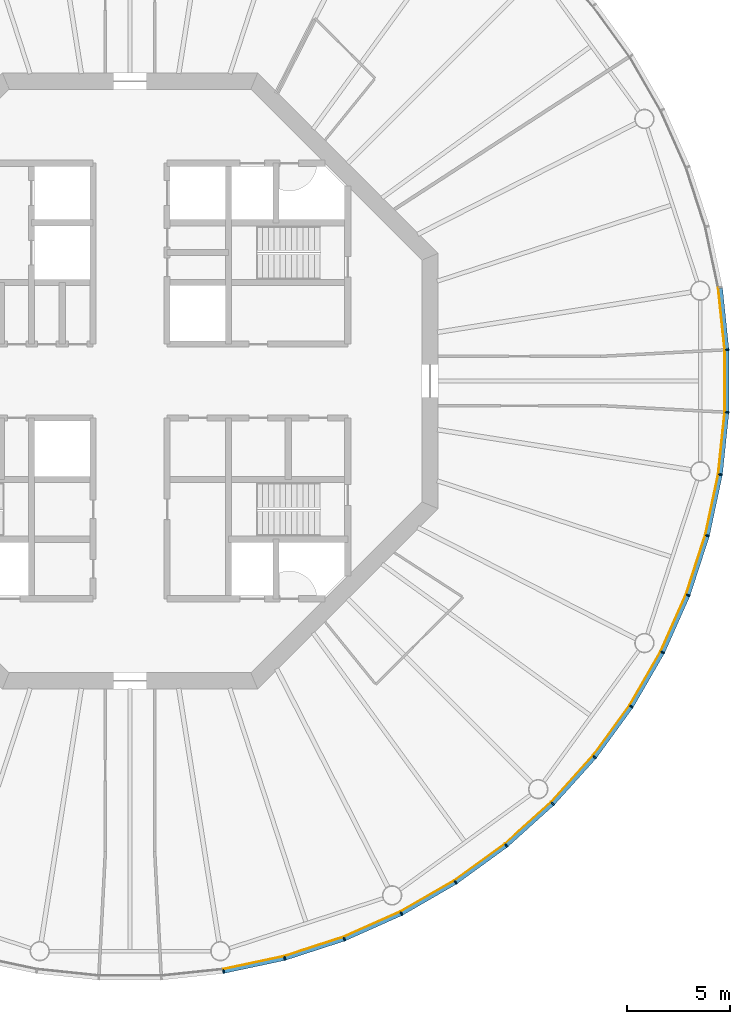
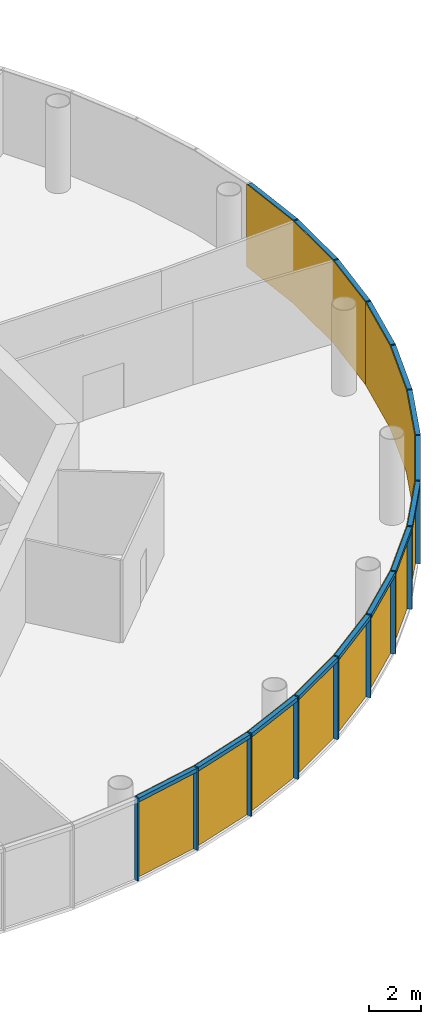
# One storey, part 9 of 13: 30 members, 5 curtain walls.
"""IFC4 building model written with IfcOpenShell, lengths in metres."""

from ifc_helpers import new_model, si_unit, direction, frame, origin, origin_2d, place, context, subcontext, project, spatial, polyline, rectangle, outline, extrude, material, layer, layer_set, material_profile, profile_set, type_object, element, aggregate, save


model = new_model("IFC4")

# Units and contexts
model_context = context("Model", 3, precision=1e-05, world=origin(), true_north=direction((0.0, 1.0)))
body_context = subcontext(model_context, "Body", "Model", "MODEL_VIEW")
ifc_project = project(units=[si_unit("LENGTHUNIT", "METRE"), si_unit("AREAUNIT", "SQUARE_METRE"), si_unit("VOLUMEUNIT", "CUBIC_METRE"), si_unit("PLANEANGLEUNIT", "RADIAN"), si_unit("MASSUNIT", "GRAM", prefix="KILO")], contexts=[model_context])

# Member
ifc_material_1 = material(Name="Anodised aluminium", Category="aluminium")
ifc_material_profile_1 = material_profile(ifc_material_1, rectangle(XDim=0.06494140625, YDim=0.195068359375, at=origin_2d()), Name="Mullion 65 x 195 mm anodised aluminium")
ifc_profile_set_1 = profile_set([ifc_material_profile_1], Name="Anodised aluminium")
member_type_1 = type_object("IfcMemberType", Name="Mullion 65 x 195 mm anodised aluminium", PredefinedType="MULLION", material=ifc_profile_set_1)
site_placement = place(None, origin())
building_placement = place(site_placement, origin())
storey_placement = place(building_placement, frame((0.0, 0.0, 298.0)))
member_1_placement = place(storey_placement, frame((94.5517578125, 51.2607421875, 0.0), z_axis=(0.0, 0.0, 1.0), x_axis=(0.987688340595, 0.15643446504, 0.0)))
member_1 = element("IfcMember", 1, at=member_1_placement, type_object=member_type_1, Name="MULLION L68-45", PredefinedType="MULLION", context=body_context, shape_type="SweptSolid", body=[
    extrude(rectangle(XDim=0.06494140625, YDim=0.195068359375, at=origin_2d()), origin(), (0.0, 0.0, 1.0), 3.85009765625),
])

member_2_placement = place(storey_placement, frame((97.531005859375, 51.89404296875, 0.0), z_axis=(0.0, 0.0, 1.0), x_axis=(0.965925826289, 0.258819045103, 0.0)))
member_2 = element("IfcMember", 2, at=member_2_placement, type_object=member_type_1, Name="MULLION L68-46", PredefinedType="MULLION", context=body_context, shape_type="SweptSolid", body=[
    extrude(rectangle(XDim=0.06494140625, YDim=0.195068359375, at=origin_2d()), origin(), (0.0, 0.0, 1.0), 3.85009765625),
])

member_3_placement = place(storey_placement, frame((100.427490234375, 52.835205078125, 0.0), z_axis=(0.0, 0.0, 1.0), x_axis=(0.933580426497, 0.358367949545, 0.0)))
member_3 = element("IfcMember", 3, at=member_3_placement, type_object=member_type_1, Name="MULLION L68-47", PredefinedType="MULLION", context=body_context, shape_type="SweptSolid", body=[
    extrude(rectangle(XDim=0.06494140625, YDim=0.195068359375, at=origin_2d()), origin(), (0.0, 0.0, 1.0), 3.85009765625),
])

member_4_placement = place(storey_placement, frame((103.2099609375, 54.073974609375, 0.0), z_axis=(0.0, 0.0, 1.0), x_axis=(0.891006524188, 0.45399049974, 0.0)))
member_4 = element("IfcMember", 4, at=member_4_placement, type_object=member_type_1, Name="MULLION L68-48", PredefinedType="MULLION", context=body_context, shape_type="SweptSolid", body=[
    extrude(rectangle(XDim=0.06494140625, YDim=0.195068359375, at=origin_2d()), origin(), (0.0, 0.0, 1.0), 3.85009765625),
])

member_5_placement = place(storey_placement, frame((105.84765625, 55.5966796875, 0.0), z_axis=(0.0, 0.0, 1.0), x_axis=(0.838670567945, 0.544639035015, 0.0)))
member_5 = element("IfcMember", 5, at=member_5_placement, type_object=member_type_1, Name="MULLION L68-49", PredefinedType="MULLION", context=body_context, shape_type="SweptSolid", body=[
    extrude(rectangle(XDim=0.06494140625, YDim=0.195068359375, at=origin_2d()), origin(), (0.0, 0.0, 1.0), 3.85009765625),
])

member_6_placement = place(storey_placement, frame((108.311767578125, 57.386962890625, 0.0), z_axis=(0.0, 0.0, 1.0), x_axis=(0.777145961457, 0.62932039105, 0.0)))
member_6 = element("IfcMember", 6, at=member_6_placement, type_object=member_type_1, Name="MULLION L68-50", PredefinedType="MULLION", context=body_context, shape_type="SweptSolid", body=[
    extrude(rectangle(XDim=0.06494140625, YDim=0.195068359375, at=origin_2d()), origin(), (0.0, 0.0, 1.0), 3.85009765625),
])

member_7_placement = place(storey_placement, frame((110.574951171875, 59.425048828125, 0.0), z_axis=(0.0, 0.0, 1.0), x_axis=(0.707106781187, 0.707106781187, 0.0)))
member_7 = element("IfcMember", 7, at=member_7_placement, type_object=member_type_1, Name="MULLION L68-51", PredefinedType="MULLION", context=body_context, shape_type="SweptSolid", body=[
    extrude(rectangle(XDim=0.06494140625, YDim=0.195068359375, at=origin_2d()), origin(), (0.0, 0.0, 1.0), 3.85009765625),
])

member_8_placement = place(storey_placement, frame((112.613037109375, 61.688232421875, 0.0), z_axis=(0.0, 0.0, 1.0), x_axis=(0.62932039105, 0.777145961457, 0.0)))
member_8 = element("IfcMember", 8, at=member_8_placement, type_object=member_type_1, Name="MULLION L68-52", PredefinedType="MULLION", context=body_context, shape_type="SweptSolid", body=[
    extrude(rectangle(XDim=0.06494140625, YDim=0.195068359375, at=origin_2d()), origin(), (0.0, 0.0, 1.0), 3.85009765625),
])

member_9_placement = place(storey_placement, frame((114.4033203125, 64.15234375, 0.0), z_axis=(0.0, 0.0, 1.0), x_axis=(0.544639035015, 0.838670567945, 0.0)))
member_9 = element("IfcMember", 9, at=member_9_placement, type_object=member_type_1, Name="MULLION L68-53", PredefinedType="MULLION", context=body_context, shape_type="SweptSolid", body=[
    extrude(rectangle(XDim=0.06494140625, YDim=0.195068359375, at=origin_2d()), origin(), (0.0, 0.0, 1.0), 3.85009765625),
])

member_10_placement = place(storey_placement, frame((115.926025390625, 66.7900390625, 0.0), z_axis=(0.0, 0.0, 1.0), x_axis=(0.45399049974, 0.891006524188, 0.0)))
member_10 = element("IfcMember", 10, at=member_10_placement, type_object=member_type_1, Name="MULLION L68-54", PredefinedType="MULLION", context=body_context, shape_type="SweptSolid", body=[
    extrude(rectangle(XDim=0.06494140625, YDim=0.195068359375, at=origin_2d()), origin(), (0.0, 0.0, 1.0), 3.85009765625),
])

member_11_placement = place(storey_placement, frame((117.164794921875, 69.572509765625, 0.0), z_axis=(0.0, 0.0, 1.0), x_axis=(0.358367949545, 0.933580426497, 0.0)))
member_11 = element("IfcMember", 11, at=member_11_placement, type_object=member_type_1, Name="MULLION L68-55", PredefinedType="MULLION", context=body_context, shape_type="SweptSolid", body=[
    extrude(rectangle(XDim=0.06494140625, YDim=0.195068359375, at=origin_2d()), origin(), (0.0, 0.0, 1.0), 3.85009765625),
])

member_12_placement = place(storey_placement, frame((118.10595703125, 72.468994140625, 0.0), z_axis=(0.0, 0.0, 1.0), x_axis=(0.258819045103, 0.965925826289, 0.0)))
member_12 = element("IfcMember", 12, at=member_12_placement, type_object=member_type_1, Name="MULLION L68-56", PredefinedType="MULLION", context=body_context, shape_type="SweptSolid", body=[
    extrude(rectangle(XDim=0.06494140625, YDim=0.195068359375, at=origin_2d()), origin(), (0.0, 0.0, 1.0), 3.85009765625),
])

member_13_placement = place(storey_placement, frame((118.7392578125, 75.4482421875, 0.0), z_axis=(0.0, 0.0, 1.0), x_axis=(0.15643446504, 0.987688340595, 0.0)))
member_13 = element("IfcMember", 13, at=member_13_placement, type_object=member_type_1, Name="MULLION L68-57", PredefinedType="MULLION", context=body_context, shape_type="SweptSolid", body=[
    extrude(rectangle(XDim=0.06494140625, YDim=0.195068359375, at=origin_2d()), origin(), (0.0, 0.0, 1.0), 3.85009765625),
])

member_14_placement = place(storey_placement, frame((119.0576171875, 78.47705078125, 0.0), z_axis=(0.0, 0.0, 1.0), x_axis=(0.052335956243, 0.998629534755, 0.0)))
member_14 = element("IfcMember", 14, at=member_14_placement, type_object=member_type_1, Name="MULLION L68-58", PredefinedType="MULLION", context=body_context, shape_type="SweptSolid", body=[
    extrude(rectangle(XDim=0.06494140625, YDim=0.195068359375, at=origin_2d()), origin(), (0.0, 0.0, 1.0), 3.85009765625),
])

member_15_placement = place(storey_placement, frame((119.0576171875, 81.52294921875, 0.0), z_axis=(0.0, 0.0, 1.0), x_axis=(-0.052335956243, 0.998629534755, 0.0)))
member_15 = element("IfcMember", 15, at=member_15_placement, type_object=member_type_1, Name="MULLION L68-59", PredefinedType="MULLION", context=body_context, shape_type="SweptSolid", body=[
    extrude(rectangle(XDim=0.06494140625, YDim=0.195068359375, at=origin_2d()), origin(), (0.0, 0.0, 1.0), 3.85009765625),
])

ifc_material_2 = material(Name="Anodised aluminium", Category="aluminium")
ifc_material_profile_2 = material_profile(ifc_material_2, rectangle(XDim=0.195068359375, YDim=0.179931640625, at=origin_2d()), Name="Transom 180 x 195 mm anodised aluminium")
ifc_profile_set_2 = profile_set([ifc_material_profile_2], Name="Anodised aluminium")
member_type_2 = type_object("IfcMemberType", Name="Transom 180 x 195 mm anodised aluminium", PredefinedType="USERDEFINED", material=ifc_profile_set_2)
member_16_placement = place(storey_placement, frame((94.588623046875, 51.268310546875, 3.760009765625), z_axis=(0.978141510112, 0.207940342877, 0.0), x_axis=(-0.207940342877, 0.978141510112, 0.0)))
member_16 = element("IfcMember", 16, at=member_16_placement, type_object=member_type_2, Name="TRANSOM L68-45", ObjectType="TRANSOM", PredefinedType="USERDEFINED", context=body_context, shape_type="SweptSolid", body=[
    extrude(rectangle(XDim=0.195068359375, YDim=0.179931640625, at=origin_2d()), origin(), (0.0, 0.0, 1.0), 2.970458984375),
])

member_17_placement = place(storey_placement, frame((97.56689453125, 51.905517578125, 3.760009765625), z_axis=(0.951047960094, 0.309043326415, 0.0), x_axis=(-0.309043326415, 0.951047960094, 0.0)))
member_17 = element("IfcMember", 17, at=member_17_placement, type_object=member_type_2, Name="TRANSOM L68-46", ObjectType="TRANSOM", PredefinedType="USERDEFINED", context=body_context, shape_type="SweptSolid", body=[
    extrude(rectangle(XDim=0.195068359375, YDim=0.179931640625, at=origin_2d()), origin(), (0.0, 0.0, 1.0), 2.970458984375),
])

member_18_placement = place(storey_placement, frame((100.4619140625, 52.850341796875, 3.760009765625), z_axis=(0.913550406593, 0.406725527369, 0.0), x_axis=(-0.406725527369, 0.913550406593, 0.0)))
member_18 = element("IfcMember", 18, at=member_18_placement, type_object=member_type_2, Name="TRANSOM L68-47", ObjectType="TRANSOM", PredefinedType="USERDEFINED", context=body_context, shape_type="SweptSolid", body=[
    extrude(rectangle(XDim=0.195068359375, YDim=0.179931640625, at=origin_2d()), origin(), (0.0, 0.0, 1.0), 2.970703125),
])

member_19_placement = place(storey_placement, frame((103.24267578125, 54.092529296875, 3.760009765625), z_axis=(0.866009025146, 0.500028367561, 0.0), x_axis=(-0.500028367561, 0.866009025146, 0.0)))
member_19 = element("IfcMember", 19, at=member_19_placement, type_object=member_type_2, Name="TRANSOM L68-48", ObjectType="TRANSOM", PredefinedType="USERDEFINED", context=body_context, shape_type="SweptSolid", body=[
    extrude(rectangle(XDim=0.195068359375, YDim=0.179931640625, at=origin_2d()), origin(), (0.0, 0.0, 1.0), 2.970458984375),
])

member_20_placement = place(storey_placement, frame((105.878173828125, 55.618896484375, 3.760009765625), z_axis=(0.809030990733, 0.587765987476, 0.0), x_axis=(-0.587765987476, 0.809030990733, 0.0)))
member_20 = element("IfcMember", 20, at=member_20_placement, type_object=member_type_2, Name="TRANSOM L68-49", ObjectType="TRANSOM", PredefinedType="USERDEFINED", context=body_context, shape_type="SweptSolid", body=[
    extrude(rectangle(XDim=0.195068359375, YDim=0.179931640625, at=origin_2d()), origin(), (0.0, 0.0, 1.0), 2.97021484375),
])

member_21_placement = place(storey_placement, frame((108.339599609375, 57.412109375, 3.760009765625), z_axis=(0.743163354343, 0.669110027395, 0.0), x_axis=(-0.669110027395, 0.743163354343, 0.0)))
member_21 = element("IfcMember", 21, at=member_21_placement, type_object=member_type_2, Name="TRANSOM L68-50", ObjectType="TRANSOM", PredefinedType="USERDEFINED", context=body_context, shape_type="SweptSolid", body=[
    extrude(rectangle(XDim=0.195068359375, YDim=0.179931640625, at=origin_2d()), origin(), (0.0, 0.0, 1.0), 2.970458984375),
])

member_22_placement = place(storey_placement, frame((110.600341796875, 59.452880859375, 3.760009765625), z_axis=(0.669110027395, 0.743163354343, 0.0), x_axis=(-0.743163354343, 0.669110027395, 0.0)))
member_22 = element("IfcMember", 22, at=member_22_placement, type_object=member_type_2, Name="TRANSOM L68-51", ObjectType="TRANSOM", PredefinedType="USERDEFINED", context=body_context, shape_type="SweptSolid", body=[
    extrude(rectangle(XDim=0.195068359375, YDim=0.179931640625, at=origin_2d()), origin(), (0.0, 0.0, 1.0), 2.970458984375),
])

member_23_placement = place(storey_placement, frame((112.63525390625, 61.71875, 3.760009765625), z_axis=(0.587765987476, 0.809030990733, 0.0), x_axis=(-0.809030990733, 0.587765987476, 0.0)))
member_23 = element("IfcMember", 23, at=member_23_placement, type_object=member_type_2, Name="TRANSOM L68-52", ObjectType="TRANSOM", PredefinedType="USERDEFINED", context=body_context, shape_type="SweptSolid", body=[
    extrude(rectangle(XDim=0.195068359375, YDim=0.179931640625, at=origin_2d()), origin(), (0.0, 0.0, 1.0), 2.97021484375),
])

member_24_placement = place(storey_placement, frame((114.422119140625, 64.184814453125, 3.760009765625), z_axis=(0.500028367561, 0.866009025146, 0.0), x_axis=(-0.866009025146, 0.500028367561, 0.0)))
member_24 = element("IfcMember", 24, at=member_24_placement, type_object=member_type_2, Name="TRANSOM L68-53", ObjectType="TRANSOM", PredefinedType="USERDEFINED", context=body_context, shape_type="SweptSolid", body=[
    extrude(rectangle(XDim=0.195068359375, YDim=0.179931640625, at=origin_2d()), origin(), (0.0, 0.0, 1.0), 2.970458984375),
])

member_25_placement = place(storey_placement, frame((115.94140625, 66.82421875, 3.760009765625), z_axis=(0.406725527369, 0.913550406593, 0.0), x_axis=(-0.913550406593, 0.406725527369, 0.0)))
member_25 = element("IfcMember", 25, at=member_25_placement, type_object=member_type_2, Name="TRANSOM L68-54", ObjectType="TRANSOM", PredefinedType="USERDEFINED", context=body_context, shape_type="SweptSolid", body=[
    extrude(rectangle(XDim=0.195068359375, YDim=0.179931640625, at=origin_2d()), origin(), (0.0, 0.0, 1.0), 2.970703125),
])

member_26_placement = place(storey_placement, frame((117.176513671875, 69.608154296875, 3.760009765625), z_axis=(0.309043326415, 0.951047960094, 0.0), x_axis=(-0.951047960094, 0.309043326415, 0.0)))
member_26 = element("IfcMember", 26, at=member_26_placement, type_object=member_type_2, Name="TRANSOM L68-55", ObjectType="TRANSOM", PredefinedType="USERDEFINED", context=body_context, shape_type="SweptSolid", body=[
    extrude(rectangle(XDim=0.195068359375, YDim=0.179931640625, at=origin_2d()), origin(), (0.0, 0.0, 1.0), 2.970458984375),
])

member_27_placement = place(storey_placement, frame((118.114013671875, 72.505859375, 3.760009765625), z_axis=(0.207940342877, 0.978141510112, 0.0), x_axis=(-0.978141510112, 0.207940342877, 0.0)))
member_27 = element("IfcMember", 27, at=member_27_placement, type_object=member_type_2, Name="TRANSOM L68-56", ObjectType="TRANSOM", PredefinedType="USERDEFINED", context=body_context, shape_type="SweptSolid", body=[
    extrude(rectangle(XDim=0.195068359375, YDim=0.179931640625, at=origin_2d()), origin(), (0.0, 0.0, 1.0), 2.970458984375),
])

member_28_placement = place(storey_placement, frame((118.743408203125, 75.485595703125, 3.760009765625), z_axis=(0.104466577987, 0.994528397827, 0.0), x_axis=(-0.994528397827, 0.104466577987, 0.0)))
member_28 = element("IfcMember", 28, at=member_28_placement, type_object=member_type_2, Name="TRANSOM L68-57", ObjectType="TRANSOM", PredefinedType="USERDEFINED", context=body_context, shape_type="SweptSolid", body=[
    extrude(rectangle(XDim=0.195068359375, YDim=0.179931640625, at=origin_2d()), origin(), (0.0, 0.0, 1.0), 2.970458984375),
])

member_29_placement = place(storey_placement, frame((119.057861328125, 78.5146484375, 3.760009765625), z_axis=(0.0, 1.0, 0.0), x_axis=(-1.0, 0.0, 0.0)))
member_29 = element("IfcMember", 29, at=member_29_placement, type_object=member_type_2, Name="TRANSOM L68-58", ObjectType="TRANSOM", PredefinedType="USERDEFINED", context=body_context, shape_type="SweptSolid", body=[
    extrude(rectangle(XDim=0.195068359375, YDim=0.179931640625, at=origin_2d()), origin(), (0.0, 0.0, 1.0), 2.970703125),
])

member_30_placement = place(storey_placement, frame((119.0537109375, 81.560302734375, 3.760009765625), z_axis=(-0.104466577987, 0.994528397827, 0.0), x_axis=(-0.994528397827, -0.104466577987, 0.0)))
member_30 = element("IfcMember", 30, at=member_30_placement, type_object=member_type_2, Name="TRANSOM L68-59", ObjectType="TRANSOM", PredefinedType="USERDEFINED", context=body_context, shape_type="SweptSolid", body=[
    extrude(rectangle(XDim=0.195068359375, YDim=0.179931640625, at=origin_2d()), origin(), (0.0, 0.0, 1.0), 2.970458984375),
])

# Site, building, storey
site = spatial("IfcSite", under=ifc_project, at=site_placement, CompositionType="ELEMENT")
building = spatial("IfcBuilding", under=site, at=building_placement, Name="Entoto Ring Tower", CompositionType="ELEMENT")
storey = spatial("IfcBuildingStorey", under=building, at=storey_placement, Name="L68", CompositionType="ELEMENT", Elevation=298.0)

# Curtain wall
ifc_material_3 = material(Name="Clear low-iron glass", Category="glass")
ifc_layer = layer(ifc_material_3, 0.033935546875)
ifc_layer_set = layer_set([ifc_layer], Name="Clear low-iron glass")
curtain_wall_type = type_object("IfcCurtainWallType", Name="Curtain wall system CW5 glazing 34 mm", PredefinedType="NOTDEFINED", material=ifc_layer_set)
curtain_wall_1_placement = place(storey_placement, origin())
curtain_wall_1 = element("IfcCurtainWall", 31, at=curtain_wall_1_placement, inside=storey, type_object=curtain_wall_type, Name="CW5 L68-16", PredefinedType="NOTDEFINED", context=body_context, shape_type="SweptSolid", body=[
    extrude(outline(polyline([(94.53662109375, 51.35693359375), (97.505859375, 51.988037109375), (100.392578125, 52.92626953125), (103.165771484375, 54.160888671875), (103.150146484375, 54.191162109375), (100.38037109375, 52.9580078125), (97.496826171875, 52.02099609375), (94.53125, 51.390625), (94.53662109375, 51.35693359375)])), origin(), (0.0, 0.0, 1.0), 3.85009765625),
])

aggregate(curtain_wall_1, [member_1, member_2, member_3, member_16, member_17, member_18])

curtain_wall_2_placement = place(storey_placement, origin())
curtain_wall_2 = element("IfcCurtainWall", 32, at=curtain_wall_2_placement, inside=storey, type_object=curtain_wall_type, Name="CW5 L68-17", PredefinedType="NOTDEFINED", context=body_context, shape_type="SweptSolid", body=[
    extrude(outline(polyline([(103.165771484375, 54.160888671875), (105.79443359375, 55.678466796875), (108.250244140625, 57.462646484375), (110.506103515625, 59.493896484375), (110.48193359375, 59.51806640625), (108.228759765625, 57.4892578125), (105.77587890625, 55.70703125), (103.150146484375, 54.191162109375), (103.165771484375, 54.160888671875)])), origin(), (0.0, 0.0, 1.0), 3.85009765625),
])

aggregate(curtain_wall_2, [member_4, member_5, member_6, member_19, member_20, member_21])

curtain_wall_3_placement = place(storey_placement, origin())
curtain_wall_3 = element("IfcCurtainWall", 33, at=curtain_wall_3_placement, inside=storey, type_object=curtain_wall_type, Name="CW5 L68-18", PredefinedType="NOTDEFINED", context=body_context, shape_type="SweptSolid", body=[
    extrude(outline(polyline([(110.506103515625, 59.493896484375), (112.537353515625, 61.749755859375), (114.321533203125, 64.20556640625), (115.839111328125, 66.834228515625), (115.808837890625, 66.849853515625), (114.29296875, 64.22412109375), (112.5107421875, 61.771240234375), (110.48193359375, 59.51806640625), (110.506103515625, 59.493896484375)])), origin(), (0.0, 0.0, 1.0), 3.85009765625),
])

aggregate(curtain_wall_3, [member_7, member_8, member_9, member_22, member_23, member_24])

curtain_wall_4_placement = place(storey_placement, origin())
curtain_wall_4 = element("IfcCurtainWall", 34, at=curtain_wall_4_placement, inside=storey, type_object=curtain_wall_type, Name="CW5 L68-19", PredefinedType="NOTDEFINED", context=body_context, shape_type="SweptSolid", body=[
    extrude(outline(polyline([(115.839111328125, 66.834228515625), (117.07373046875, 69.607421875), (118.011962890625, 72.494140625), (118.64306640625, 75.46337890625), (118.609375, 75.46875), (117.97900390625, 72.503173828125), (117.0419921875, 69.61962890625), (115.808837890625, 66.849853515625), (115.839111328125, 66.834228515625)])), origin(), (0.0, 0.0, 1.0), 3.85009765625),
])

aggregate(curtain_wall_4, [member_10, member_11, member_12, member_25, member_26, member_27])

curtain_wall_5_placement = place(storey_placement, origin())
curtain_wall_5 = element("IfcCurtainWall", 35, at=curtain_wall_5_placement, inside=storey, type_object=curtain_wall_type, Name="CW5 L68-20", PredefinedType="NOTDEFINED", context=body_context, shape_type="SweptSolid", body=[
    extrude(outline(polyline([(118.64306640625, 75.46337890625), (118.960205078125, 78.482177734375), (118.960205078125, 81.517822265625), (118.64306640625, 84.53662109375), (118.609375, 84.53125), (118.92626953125, 81.515869140625), (118.92626953125, 78.484130859375), (118.609375, 75.46875), (118.64306640625, 75.46337890625)])), origin(), (0.0, 0.0, 1.0), 3.85009765625),
])

aggregate(curtain_wall_5, [member_13, member_14, member_15, member_28, member_29, member_30])

save(model, "model.ifc")
